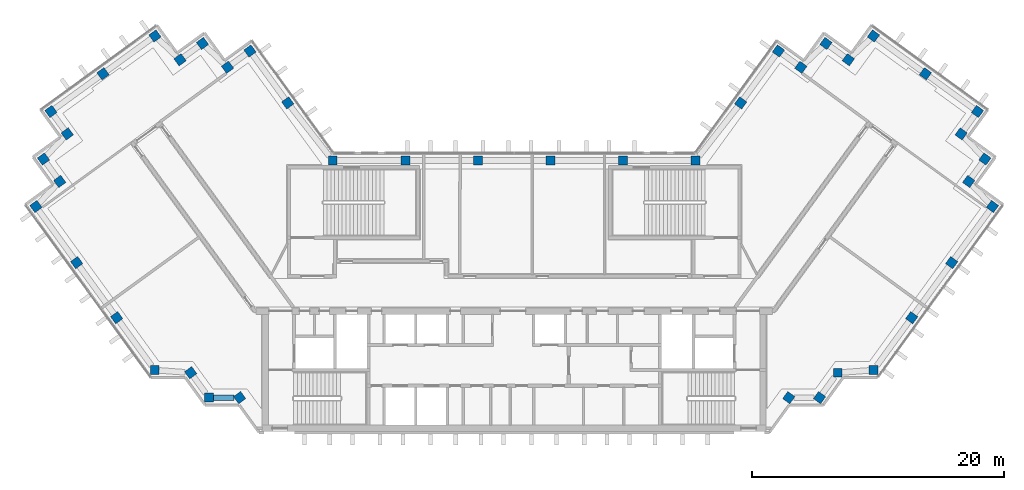
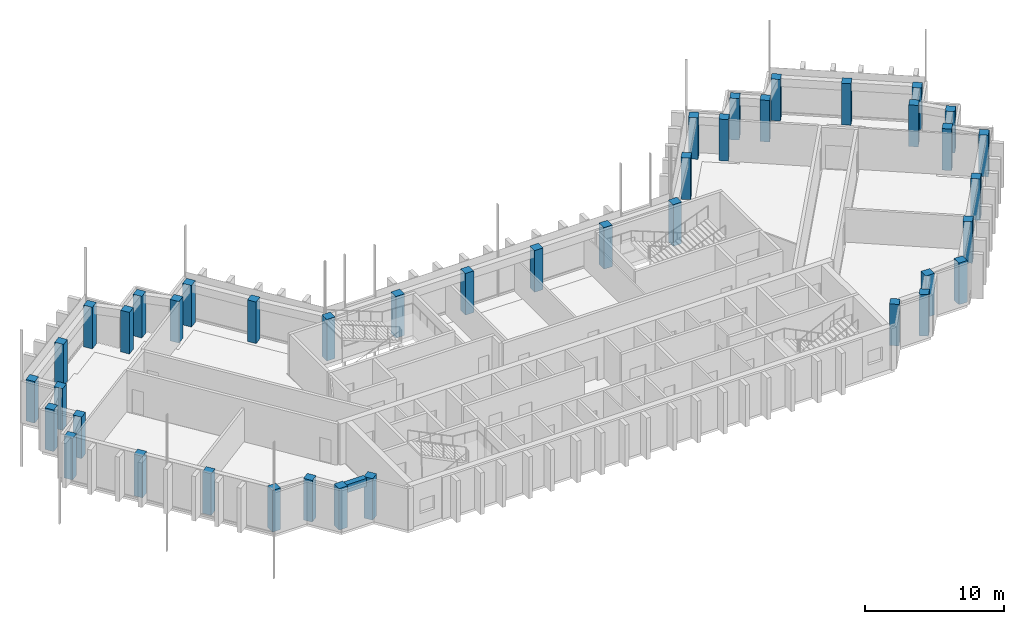
# One storey, part 1 of 14: 42 columns, 1 beam.
"""IFC4 building model written with IfcOpenShell, lengths in metres."""

import ifcopenshell
import ifcopenshell.guid

model = None  # the IFC model being written
_history = None  # IfcOwnerHistory: only IFC2X3 demands one
_inside = {}  # id of a spatial element -> (the spatial element, [elements in it])
_under = {}  # id of a project, library or spatial element -> (it, [spatial elements below it])
_declared = {}  # id of a project -> (the project, [libraries it declares])
_typed = {}  # id of a type object -> (the type object, [elements of that type])
_made_of = {}  # id of a material, layer set ... -> (it, [elements and type objects made of it])


def new_model(schema):
    """Start an empty IFC model of exactly this schema.

    Asked for "IFC4X3", IfcOpenShell would pick the latest addendum, in which some entities
    have other attributes; the version numbers below select the first issue.
    IFC2X3 requires an IfcOwnerHistory on every rooted entity: one is made here for all.
    """
    global model, _history
    if schema == "IFC4X3":
        model = ifcopenshell.file(schema_version=(4, 3, 0, 0))
    else:
        model = ifcopenshell.file(schema=schema)
    _inside.clear()
    _under.clear()
    _declared.clear()
    _typed.clear()
    _made_of.clear()
    _history = None
    if model.schema == "IFC2X3":
        org = make("IfcOrganization", Name="unknown")
        user = make(
            "IfcPersonAndOrganization",
            ThePerson=make("IfcPerson", FamilyName="unknown"),
            TheOrganization=org,
        )
        app = make(
            "IfcApplication",
            ApplicationDeveloper=org,
            Version="unknown",
            ApplicationFullName="unknown",
            ApplicationIdentifier="unknown",
        )
        _history = make(
            "IfcOwnerHistory",
            OwningUser=user,
            OwningApplication=app,
            ChangeAction="ADDED",
            CreationDate=0,
        )
    return model


def make(cls, **values):
    """One entity of the class cls with the attributes given. An attribute that is None is left unset."""
    return model.create_entity(
        cls, **{name: value for name, value in values.items() if value is not None}
    )


def rooted(cls, **values):
    """An entity with a GlobalId (a new one), such as an element, a storey or a relation."""
    return make(cls, GlobalId=ifcopenshell.guid.new(), OwnerHistory=_history, **values)


def si_unit(unit_type, name, prefix=None):
    """IfcSIUnit, for example si_unit("LENGTHUNIT", "METRE", prefix="MILLI")."""
    return make("IfcSIUnit", UnitType=unit_type, Prefix=prefix, Name=name)


def assignment(units):
    """IfcUnitAssignment: the units of a project."""
    return None if units is None else make("IfcUnitAssignment", Units=units)


def point(xyz):
    """IfcCartesianPoint."""
    return None if xyz is None else make("IfcCartesianPoint", Coordinates=xyz)


def direction(xyz):
    """IfcDirection."""
    return None if xyz is None else make("IfcDirection", DirectionRatios=xyz)


def frame(location, z_axis=None, x_axis=None):
    """IfcAxis2Placement3D, a coordinate frame: its origin and axes. An axis left out is left unset."""
    return make(
        "IfcAxis2Placement3D",
        Location=point(location),
        Axis=direction(z_axis),
        RefDirection=direction(x_axis),
    )


def frame_2d(location, x_axis=None):
    """IfcAxis2Placement2D, a coordinate frame in the plane: its origin and x axis."""
    return make(
        "IfcAxis2Placement2D", Location=point(location), RefDirection=direction(x_axis)
    )


def origin():
    """The frame at (0, 0, 0) with its axes left unset."""
    return frame((0.0, 0.0, 0.0))


def origin_2d():
    """The frame at (0, 0) in the plane with its x axis left unset."""
    return frame_2d((0.0, 0.0))


def place(relative_to, where):
    """IfcLocalPlacement: puts the frame where relative to a parent placement (None: the world)."""
    return make(
        "IfcLocalPlacement", PlacementRelTo=relative_to, RelativePlacement=where
    )


def context(
    kind, dimensions, precision=None, world=None, true_north=None, identifier=None
):
    """IfcGeometricRepresentationContext, for example the 3D "Model" context."""
    return make(
        "IfcGeometricRepresentationContext",
        ContextIdentifier=identifier,
        ContextType=kind,
        CoordinateSpaceDimension=dimensions,
        Precision=precision,
        WorldCoordinateSystem=world,
        TrueNorth=true_north,
    )


def subcontext(parent, identifier, kind, view, scale=None):
    """IfcGeometricRepresentationSubContext, for example "Body" below "Model"."""
    return make(
        "IfcGeometricRepresentationSubContext",
        ContextIdentifier=identifier,
        ContextType=kind,
        ParentContext=parent,
        TargetScale=scale,
        TargetView=view,
    )


def project(units=None, contexts=None):
    """IfcProject with its units and contexts."""
    return rooted(
        "IfcProject",
        Name="project",
        RepresentationContexts=contexts,
        UnitsInContext=assignment(units),
    )


def spatial(cls, under=None, at=None, **own):
    """A site, building, storey or space (cls), placed at a placement, below another one or the project."""
    s = rooted(cls, ObjectPlacement=at, **own)
    if under is not None:
        _under.setdefault(under.id(), (under, []))[1].append(s)
    return s


def profile(cls, at=None, kind="AREA", **sizes):
    """A parametric profile (cls). Its sizes go by their IFC names, for example OverallWidth=200.0."""
    return make(cls, ProfileType=kind, Position=at, **sizes)


def rectangle(**sizes):
    """IfcRectangleProfileDef."""
    return profile("IfcRectangleProfileDef", **sizes)


def extrude(swept, where, along, depth):
    """IfcExtrudedAreaSolid: the profile swept, set in the frame where, extruded along a direction by depth."""
    return make(
        "IfcExtrudedAreaSolid",
        SweptArea=swept,
        Position=where,
        ExtrudedDirection=direction(along),
        Depth=depth,
    )


def shape(context_of_items, identifier, shape_type, items):
    """IfcShapeRepresentation: the items that make up one representation, for example the "Body"."""
    return make(
        "IfcShapeRepresentation",
        ContextOfItems=context_of_items,
        RepresentationIdentifier=identifier,
        RepresentationType=shape_type,
        Items=items,
    )


def material(Name=None, Category=None):
    """IfcMaterial."""
    return make("IfcMaterial", Name=Name, Category=Category)


def material_profile(
    of_material, cross_section, Name=None, Category=None, Priority=None
):
    """IfcMaterialProfile: a cross section and its material."""
    return make(
        "IfcMaterialProfile",
        Name=Name,
        Material=of_material,
        Profile=cross_section,
        Priority=Priority,
        Category=Category,
    )


def profile_set(profiles, Name=None, composite=None):
    """IfcMaterialProfileSet."""
    return make(
        "IfcMaterialProfileSet",
        Name=Name,
        MaterialProfiles=profiles,
        CompositeProfile=composite,
    )


def made_of(thing, what):
    """Note that an element or type object is made of a material, layer set ...; save() writes the relation."""
    if what is not None:
        _made_of.setdefault(what.id(), (what, []))[1].append(thing)
    return thing


def type_object(cls, material=None, **own):
    """A type object (cls), such as IfcWallType, which elements share."""
    return made_of(rooted(cls, **own), material)


def element(
    cls,
    number,
    at=None,
    inside=None,
    cuts=None,
    type_object=None,
    material=None,
    context=None,
    identifier="Body",
    shape_type=None,
    held_by="IfcProductDefinitionShape",
    body=None,
    shapes=None,
    **own,
):
    """One element of the class cls, such as IfcWall. Its Tag is "e" and its number.

    at: its placement. inside: the storey or other place that contains it. cuts: it is an
    opening in that element (IfcRelVoidsElement). A single representation is given by context,
    identifier, shape_type and body (its items); several are given by shapes. held_by: the class
    of the entity that holds the representations. save() writes the other relations.
    """
    e = rooted(cls, Tag="e%d" % number, ObjectPlacement=at, **own)
    if body is not None:
        shapes = [shape(context, identifier, shape_type, body)]
    if shapes is not None:
        e.Representation = make(held_by, Representations=shapes)
    if inside is not None:
        _inside.setdefault(inside.id(), (inside, []))[1].append(e)
    if cuts is not None:
        rooted(
            "IfcRelVoidsElement", RelatingBuildingElement=cuts, RelatedOpeningElement=e
        )
    if type_object is not None:
        _typed.setdefault(type_object.id(), (type_object, []))[1].append(e)
    return made_of(e, material)


def aggregate(whole, parts):
    """IfcRelAggregates: a whole, such as a stair, and the parts it consists of."""
    return rooted("IfcRelAggregates", RelatingObject=whole, RelatedObjects=parts)


def save(model, path):
    """Write the relations noted so far, then the file.

    IfcRelAggregates (storeys below a building ...), IfcRelContainedInSpatialStructure (elements
    in a storey), IfcRelDefinesByType, IfcRelAssociatesMaterial and IfcRelDeclares: one each for
    every whole, place, type object, material and project.
    """
    for whole, parts in _under.values():
        aggregate(whole, parts)
    for where, things in _inside.values():
        rooted(
            "IfcRelContainedInSpatialStructure",
            RelatedElements=things,
            RelatingStructure=where,
        )
    for kind, things in _typed.values():
        rooted("IfcRelDefinesByType", RelatedObjects=things, RelatingType=kind)
    for what, things in _made_of.values():
        rooted("IfcRelAssociatesMaterial", RelatedObjects=things, RelatingMaterial=what)
    for by, libraries in _declared.values():
        rooted("IfcRelDeclares", RelatingContext=by, RelatedDefinitions=libraries)
    model.write(path)


model = new_model("IFC4")

# Units and contexts
model_context = context("Model", 3, precision=1e-05, world=origin(), true_north=direction((0.0, 1.0)))
body_context = subcontext(model_context, "Body", "Model", "MODEL_VIEW")
ifc_project = project(units=[si_unit("LENGTHUNIT", "METRE"), si_unit("AREAUNIT", "SQUARE_METRE"), si_unit("VOLUMEUNIT", "CUBIC_METRE"), si_unit("PLANEANGLEUNIT", "RADIAN"), si_unit("MASSUNIT", "GRAM", prefix="KILO")], contexts=[model_context])

# Site, building, storey
site_placement = place(None, origin())
site = spatial("IfcSite", under=ifc_project, at=site_placement, CompositionType="ELEMENT")
building_placement = place(site_placement, origin())
building = spatial("IfcBuilding", under=site, at=building_placement, Name="Quipu Civic Tower", CompositionType="ELEMENT")
storey_placement = place(building_placement, frame((0.0, 0.0, 335.0)))
storey = spatial("IfcBuildingStorey", under=building, at=storey_placement, Name="L78", CompositionType="ELEMENT", Elevation=335.0)

# Columns
ifc_material_1 = material(Name="Concrete C40/50", Category="concrete")
ifc_material_profile_1 = material_profile(ifc_material_1, rectangle(XDim=0.699951171875, YDim=0.699951171875, at=origin_2d()), Name="RC700x700")
ifc_profile_set_1 = profile_set([ifc_material_profile_1], Name="Concrete C40/50")
column_type = type_object("IfcColumnType", Name="Perimeter column RC 700x700 C40/50", PredefinedType="COLUMN", material=ifc_profile_set_1)
for number, where, z_axis, x_axis, name in (
    (1, (-17.9736328125, 15.074951171875, 0.0), (0.0, 0.0, 1.0), (-0.587785252292, 0.809016994375, 0.0), "Column L78 W-IN-01"),
    (2, (-20.969970703125, 19.195068359375, 0.0), (0.0, 0.0, 1.0), (-0.587785252292, 0.809016994375, 0.0), "Column L78 T-Wi.0-W22"),
    (3, (-22.749267578125, 17.904296875, 0.0), (0.0, 0.0, 1.0), (-0.587785252292, 0.809016994375, 0.0), "Column L78 T-Wi.1-W22"),
    (4, (-24.739990234375, 19.794921875, 0.0), (0.0, 0.0, 1.0), (-0.587785252292, 0.809016994375, 0.0), "Column L78 T-Wi.2-W22"),
    (5, (-26.51904296875, 18.50048828125, 0.0), (0.0, 0.0, 1.0), (-0.587785252292, 0.809016994375, 0.0), "Column L78 T-Wi.3-W22"),
    (6, (-28.510009765625, 20.389892578125, 0.0), (0.0, 0.0, 1.0), (-0.809016994375, -0.587785252292, 0.0), "Column L78 T-Wi.4-W22"),
    (7, (-32.636962890625, 17.39306640625, 0.0), (0.0, 0.0, 1.0), (-0.809016994375, -0.587785252292, 0.0), "Column L78 TIP-W-01-W22"),
    (8, (-36.764892578125, 14.39501953125, 0.0), (0.0, 0.0, 1.0), (0.587785252292, -0.809016994375, 0.0), "Column L78 T-Wo.0-W22"),
    (9, (-35.470703125, 12.616455078125, 0.0), (0.0, 0.0, 1.0), (-0.809016994375, -0.587785252292, 0.0), "Column L78 T-Wo.1-W22"),
    (10, (-37.360107421875, 10.625, 0.0), (0.0, 0.0, 1.0), (0.587785252292, -0.809016994375, 0.0), "Column L78 T-Wo.2-W22"),
    (11, (-36.068115234375, 8.843994140625, 0.0), (0.0, 0.0, 1.0), (0.587785252292, -0.809016994375, 0.0), "Column L78 T-Wo.3-W22"),
    (12, (-37.9599609375, 6.85498046875, 0.0), (0.0, 0.0, 1.0), (0.587785252292, -0.809016994375, 0.0), "Column L78 T-Wo.4-W22"),
    (13, (-34.722412109375, 2.39990234375, 0.0), (0.0, 0.0, 1.0), (0.587785252292, -0.809016994375, 0.0), "Column L78 W-OUT-02"),
    (14, (-31.54833984375, -1.96875, 0.0), (0.0, 0.0, 1.0), (0.587785252292, -0.809016994375, 0.0), "Column L78 W-OUT-01"),
    (15, (-28.52490234375, -6.1298828125, 0.0), (0.0, 0.0, 1.0), (1.0, 0.0, 0.0), "Column L78 J-Wo.0"),
    (16, (-25.67431640625, -6.3369140625, 0.0), (0.0, 0.0, 1.0), (0.587785252292, -0.809016994375, 0.0), "Column L78 J-Wo.1"),
    (17, (-24.235107421875, -8.31494140625, 0.0), (0.0, 0.0, 1.0), (1.0, 0.0, 0.0), "Column L78 J-Wo.2"),
    (18, (-21.791748046875, -8.31494140625, 0.0), (0.0, 0.0, 1.0), (0.587785252292, -0.809016994375, 0.0), "Column L78 J-Wo.3"),
    (19, (21.791748046875, -8.31494140625, 0.0), (0.0, 0.0, 1.0), (0.587785252292, 0.809016994375, 0.0), "Column L78 J-Eo.1"),
    (20, (24.235107421875, -8.31494140625, 0.0), (0.0, 0.0, 1.0), (0.587785252292, 0.809016994375, 0.0), "Column L78 J-Eo.2"),
    (21, (25.67431640625, -6.3369140625, 0.0), (0.0, 0.0, 1.0), (1.0, 0.0, 0.0), "Column L78 J-Eo.3"),
    (22, (28.52490234375, -6.1298828125, 0.0), (0.0, 0.0, 1.0), (1.0, 0.0, 0.0), "Column L78 J-Eo.4"),
    (23, (31.54833984375, -1.96875, 0.0), (0.0, 0.0, 1.0), (0.587785252292, 0.809016994375, 0.0), "Column L78 E-OUT-01"),
    (24, (34.722412109375, 2.39990234375, 0.0), (0.0, 0.0, 1.0), (0.587785252292, 0.809016994375, 0.0), "Column L78 E-OUT-02"),
    (25, (37.9599609375, 6.85498046875, 0.0), (0.0, 0.0, 1.0), (0.587785252292, 0.809016994375, 0.0), "Column L78 T-Eo.0-E22"),
    (26, (36.068115234375, 8.843994140625, 0.0), (0.0, 0.0, 1.0), (0.587785252292, 0.809016994375, 0.0), "Column L78 T-Eo.1-E22"),
    (27, (37.360107421875, 10.625, 0.0), (0.0, 0.0, 1.0), (0.587785252292, 0.809016994375, 0.0), "Column L78 T-Eo.2-E22"),
    (28, (35.470703125, 12.616455078125, 0.0), (0.0, 0.0, 1.0), (-0.809016994375, 0.587785252292, 0.0), "Column L78 T-Eo.3-E22"),
    (29, (36.764892578125, 14.39501953125, 0.0), (0.0, 0.0, 1.0), (-0.809016994375, 0.587785252292, 0.0), "Column L78 T-Eo.4-E22"),
    (30, (32.636962890625, 17.39306640625, 0.0), (0.0, 0.0, 1.0), (-0.809016994375, 0.587785252292, 0.0), "Column L78 TIP-E-01-E22"),
    (31, (28.510009765625, 20.389892578125, 0.0), (0.0, 0.0, 1.0), (-0.587785252292, -0.809016994375, 0.0), "Column L78 T-Ei.0-E22"),
    (32, (26.51904296875, 18.50048828125, 0.0), (0.0, 0.0, 1.0), (-0.809016994375, 0.587785252292, 0.0), "Column L78 T-Ei.1-E22"),
    (33, (24.739990234375, 19.794921875, 0.0), (0.0, 0.0, 1.0), (-0.587785252292, -0.809016994375, 0.0), "Column L78 T-Ei.2-E22"),
    (34, (22.749267578125, 17.904296875, 0.0), (0.0, 0.0, 1.0), (-0.587785252292, -0.809016994375, 0.0), "Column L78 T-Ei.3-E22"),
    (35, (20.969970703125, 19.195068359375, 0.0), (0.0, 0.0, 1.0), (-0.587785252292, -0.809016994375, 0.0), "Column L78 T-Ei.4-E22"),
    (36, (17.9736328125, 15.074951171875, 0.0), (0.0, 0.0, 1.0), (-0.587785252292, -0.809016994375, 0.0), "Column L78 E-IN-01"),
    (37, (14.395263671875, 10.5, 0.0), (0.0, 0.0, 1.0), (-1.0, 0.0, 0.0), "Column L78 J-Ei.0"),
    (38, (8.63720703125, 10.5, 0.0), (0.0, 0.0, 1.0), (-1.0, 0.0, 0.0), "Column L78 FRONT-01"),
    (39, (2.87890625, 10.5, 0.0), (0.0, 0.0, 1.0), (-1.0, 0.0, 0.0), "Column L78 FRONT-02"),
    (40, (-2.87890625, 10.5, 0.0), (0.0, 0.0, 1.0), (-1.0, 0.0, 0.0), "Column L78 FRONT-03"),
    (41, (-8.63720703125, 10.5, 0.0), (0.0, 0.0, 1.0), (-1.0, 0.0, 0.0), "Column L78 FRONT-04"),
    (42, (-14.395263671875, 10.5, 0.0), (0.0, 0.0, 1.0), (-1.0, 0.0, 0.0), "Column L78 J-Wi.0"),
):
    element("IfcColumn", number, at=place(storey_placement, frame(where, z_axis=z_axis, x_axis=x_axis)), inside=storey, type_object=column_type, Name=name, PredefinedType="COLUMN", context=body_context, shape_type="SweptSolid", body=[
        extrude(rectangle(XDim=0.699951171875, YDim=0.699951171875, at=origin_2d()), origin(), (0.0, 0.0, 1.0), 3.64990234375),
    ])

# Beam
ifc_material_2 = material(Name="Concrete C50/60", Category="concrete")
ifc_material_profile_2 = material_profile(ifc_material_2, rectangle(XDim=0.449951171875, YDim=0.699951171875, at=origin_2d()), Name="RC450x700")
ifc_profile_set_2 = profile_set([ifc_material_profile_2], Name="Concrete C50/60")
beam_type = type_object("IfcBeamType", Name="Spandrel beam RC 450x700 C50/60", PredefinedType="SPANDREL", material=ifc_profile_set_2)
beam_placement = place(storey_placement, frame((-23.885009765625, -8.31494140625, 3.300048828125), z_axis=(1.0, 0.0, 0.0), x_axis=(0.0, 1.0, 0.0)))
element("IfcBeam", 43, at=beam_placement, inside=storey, type_object=beam_type, Name="Spandrel beam L78 J-Wo.2 to J-Wo.3", PredefinedType="SPANDREL", context=body_context, shape_type="SweptSolid", body=[
    extrude(rectangle(XDim=0.449951171875, YDim=0.699951171875, at=origin_2d()), origin(), (0.0, 0.0, 1.0), 1.66064453125),
])

save(model, "model.ifc")
